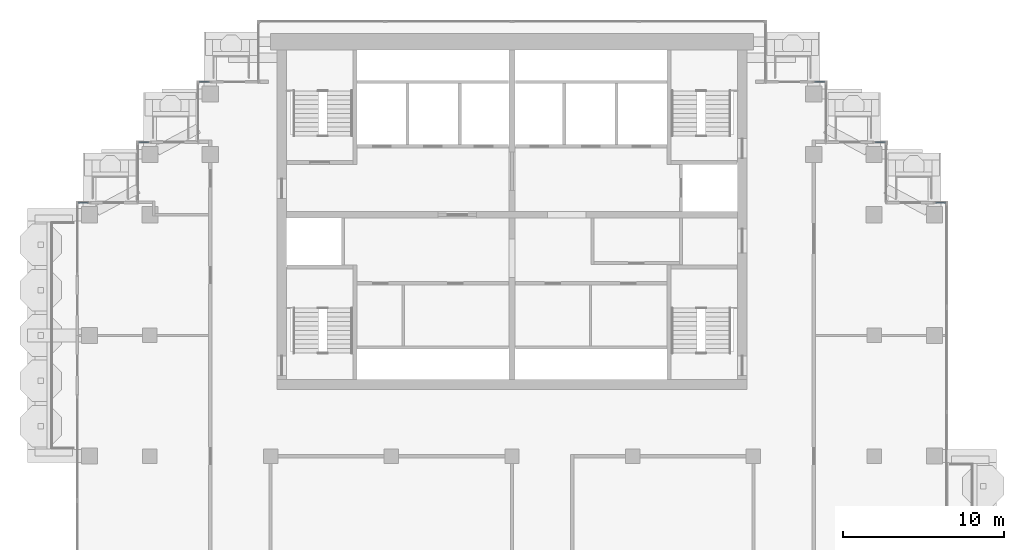
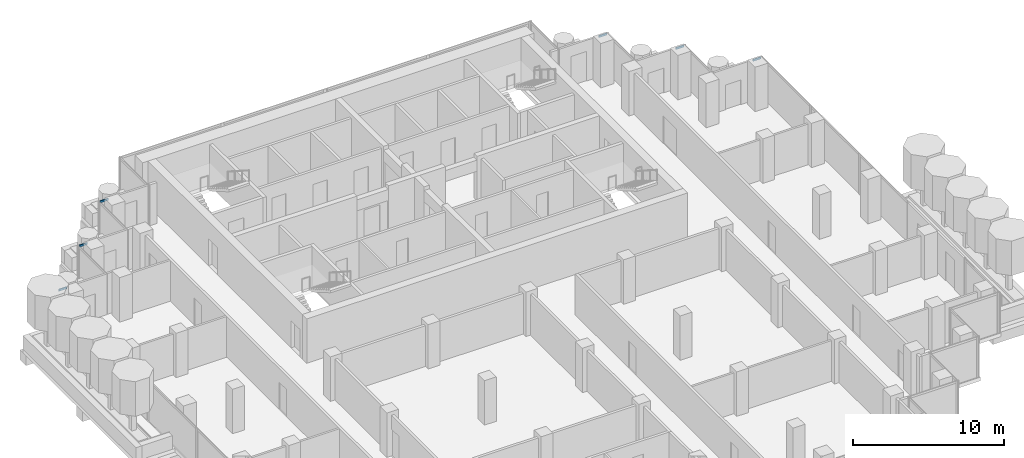
# One storey, part 7 of 17: 6 members, 6 elements without a shape of their own.
"""IFC4 building model written with IfcOpenShell, lengths in metres."""

import ifcopenshell
import ifcopenshell.guid

model = None  # the IFC model being written
_history = None  # IfcOwnerHistory: only IFC2X3 demands one
_inside = {}  # id of a spatial element -> (the spatial element, [elements in it])
_under = {}  # id of a project, library or spatial element -> (it, [spatial elements below it])
_declared = {}  # id of a project -> (the project, [libraries it declares])
_typed = {}  # id of a type object -> (the type object, [elements of that type])
_made_of = {}  # id of a material, layer set ... -> (it, [elements and type objects made of it])


def new_model(schema):
    """Start an empty IFC model of exactly this schema.

    Asked for "IFC4X3", IfcOpenShell would pick the latest addendum, in which some entities
    have other attributes; the version numbers below select the first issue.
    IFC2X3 requires an IfcOwnerHistory on every rooted entity: one is made here for all.
    """
    global model, _history
    if schema == "IFC4X3":
        model = ifcopenshell.file(schema_version=(4, 3, 0, 0))
    else:
        model = ifcopenshell.file(schema=schema)
    _inside.clear()
    _under.clear()
    _declared.clear()
    _typed.clear()
    _made_of.clear()
    _history = None
    if model.schema == "IFC2X3":
        org = make("IfcOrganization", Name="unknown")
        user = make(
            "IfcPersonAndOrganization",
            ThePerson=make("IfcPerson", FamilyName="unknown"),
            TheOrganization=org,
        )
        app = make(
            "IfcApplication",
            ApplicationDeveloper=org,
            Version="unknown",
            ApplicationFullName="unknown",
            ApplicationIdentifier="unknown",
        )
        _history = make(
            "IfcOwnerHistory",
            OwningUser=user,
            OwningApplication=app,
            ChangeAction="ADDED",
            CreationDate=0,
        )
    return model


def make(cls, **values):
    """One entity of the class cls with the attributes given. An attribute that is None is left unset."""
    return model.create_entity(
        cls, **{name: value for name, value in values.items() if value is not None}
    )


def rooted(cls, **values):
    """An entity with a GlobalId (a new one), such as an element, a storey or a relation."""
    return make(cls, GlobalId=ifcopenshell.guid.new(), OwnerHistory=_history, **values)


def si_unit(unit_type, name, prefix=None):
    """IfcSIUnit, for example si_unit("LENGTHUNIT", "METRE", prefix="MILLI")."""
    return make("IfcSIUnit", UnitType=unit_type, Prefix=prefix, Name=name)


def assignment(units):
    """IfcUnitAssignment: the units of a project."""
    return None if units is None else make("IfcUnitAssignment", Units=units)


def point(xyz):
    """IfcCartesianPoint."""
    return None if xyz is None else make("IfcCartesianPoint", Coordinates=xyz)


def direction(xyz):
    """IfcDirection."""
    return None if xyz is None else make("IfcDirection", DirectionRatios=xyz)


def frame(location, z_axis=None, x_axis=None):
    """IfcAxis2Placement3D, a coordinate frame: its origin and axes. An axis left out is left unset."""
    return make(
        "IfcAxis2Placement3D",
        Location=point(location),
        Axis=direction(z_axis),
        RefDirection=direction(x_axis),
    )


def frame_2d(location, x_axis=None):
    """IfcAxis2Placement2D, a coordinate frame in the plane: its origin and x axis."""
    return make(
        "IfcAxis2Placement2D", Location=point(location), RefDirection=direction(x_axis)
    )


def origin():
    """The frame at (0, 0, 0) with its axes left unset."""
    return frame((0.0, 0.0, 0.0))


def origin_2d():
    """The frame at (0, 0) in the plane with its x axis left unset."""
    return frame_2d((0.0, 0.0))


def place(relative_to, where):
    """IfcLocalPlacement: puts the frame where relative to a parent placement (None: the world)."""
    return make(
        "IfcLocalPlacement", PlacementRelTo=relative_to, RelativePlacement=where
    )


def context(
    kind, dimensions, precision=None, world=None, true_north=None, identifier=None
):
    """IfcGeometricRepresentationContext, for example the 3D "Model" context."""
    return make(
        "IfcGeometricRepresentationContext",
        ContextIdentifier=identifier,
        ContextType=kind,
        CoordinateSpaceDimension=dimensions,
        Precision=precision,
        WorldCoordinateSystem=world,
        TrueNorth=true_north,
    )


def subcontext(parent, identifier, kind, view, scale=None):
    """IfcGeometricRepresentationSubContext, for example "Body" below "Model"."""
    return make(
        "IfcGeometricRepresentationSubContext",
        ContextIdentifier=identifier,
        ContextType=kind,
        ParentContext=parent,
        TargetScale=scale,
        TargetView=view,
    )


def project(units=None, contexts=None):
    """IfcProject with its units and contexts."""
    return rooted(
        "IfcProject",
        Name="project",
        RepresentationContexts=contexts,
        UnitsInContext=assignment(units),
    )


def spatial(cls, under=None, at=None, **own):
    """A site, building, storey or space (cls), placed at a placement, below another one or the project."""
    s = rooted(cls, ObjectPlacement=at, **own)
    if under is not None:
        _under.setdefault(under.id(), (under, []))[1].append(s)
    return s


def profile(cls, at=None, kind="AREA", **sizes):
    """A parametric profile (cls). Its sizes go by their IFC names, for example OverallWidth=200.0."""
    return make(cls, ProfileType=kind, Position=at, **sizes)


def rectangle(**sizes):
    """IfcRectangleProfileDef."""
    return profile("IfcRectangleProfileDef", **sizes)


def extrude(swept, where, along, depth):
    """IfcExtrudedAreaSolid: the profile swept, set in the frame where, extruded along a direction by depth."""
    return make(
        "IfcExtrudedAreaSolid",
        SweptArea=swept,
        Position=where,
        ExtrudedDirection=direction(along),
        Depth=depth,
    )


def shape(context_of_items, identifier, shape_type, items):
    """IfcShapeRepresentation: the items that make up one representation, for example the "Body"."""
    return make(
        "IfcShapeRepresentation",
        ContextOfItems=context_of_items,
        RepresentationIdentifier=identifier,
        RepresentationType=shape_type,
        Items=items,
    )


def material(Name=None, Category=None):
    """IfcMaterial."""
    return make("IfcMaterial", Name=Name, Category=Category)


def material_profile(
    of_material, cross_section, Name=None, Category=None, Priority=None
):
    """IfcMaterialProfile: a cross section and its material."""
    return make(
        "IfcMaterialProfile",
        Name=Name,
        Material=of_material,
        Profile=cross_section,
        Priority=Priority,
        Category=Category,
    )


def profile_set(profiles, Name=None, composite=None):
    """IfcMaterialProfileSet."""
    return make(
        "IfcMaterialProfileSet",
        Name=Name,
        MaterialProfiles=profiles,
        CompositeProfile=composite,
    )


def made_of(thing, what):
    """Note that an element or type object is made of a material, layer set ...; save() writes the relation."""
    if what is not None:
        _made_of.setdefault(what.id(), (what, []))[1].append(thing)
    return thing


def type_object(cls, material=None, **own):
    """A type object (cls), such as IfcWallType, which elements share."""
    return made_of(rooted(cls, **own), material)


def element(
    cls,
    number,
    at=None,
    inside=None,
    cuts=None,
    type_object=None,
    material=None,
    context=None,
    identifier="Body",
    shape_type=None,
    held_by="IfcProductDefinitionShape",
    body=None,
    shapes=None,
    **own,
):
    """One element of the class cls, such as IfcWall. Its Tag is "e" and its number.

    at: its placement. inside: the storey or other place that contains it. cuts: it is an
    opening in that element (IfcRelVoidsElement). A single representation is given by context,
    identifier, shape_type and body (its items); several are given by shapes. held_by: the class
    of the entity that holds the representations. save() writes the other relations.
    """
    e = rooted(cls, Tag="e%d" % number, ObjectPlacement=at, **own)
    if body is not None:
        shapes = [shape(context, identifier, shape_type, body)]
    if shapes is not None:
        e.Representation = make(held_by, Representations=shapes)
    if inside is not None:
        _inside.setdefault(inside.id(), (inside, []))[1].append(e)
    if cuts is not None:
        rooted(
            "IfcRelVoidsElement", RelatingBuildingElement=cuts, RelatedOpeningElement=e
        )
    if type_object is not None:
        _typed.setdefault(type_object.id(), (type_object, []))[1].append(e)
    return made_of(e, material)


def aggregate(whole, parts):
    """IfcRelAggregates: a whole, such as a stair, and the parts it consists of."""
    return rooted("IfcRelAggregates", RelatingObject=whole, RelatedObjects=parts)


def save(model, path):
    """Write the relations noted so far, then the file.

    IfcRelAggregates (storeys below a building ...), IfcRelContainedInSpatialStructure (elements
    in a storey), IfcRelDefinesByType, IfcRelAssociatesMaterial and IfcRelDeclares: one each for
    every whole, place, type object, material and project.
    """
    for whole, parts in _under.values():
        aggregate(whole, parts)
    for where, things in _inside.values():
        rooted(
            "IfcRelContainedInSpatialStructure",
            RelatedElements=things,
            RelatingStructure=where,
        )
    for kind, things in _typed.values():
        rooted("IfcRelDefinesByType", RelatedObjects=things, RelatingType=kind)
    for what, things in _made_of.values():
        rooted("IfcRelAssociatesMaterial", RelatedObjects=things, RelatingMaterial=what)
    for by, libraries in _declared.values():
        rooted("IfcRelDeclares", RelatingContext=by, RelatedDefinitions=libraries)
    model.write(path)


model = new_model("IFC4")

# Units and contexts
model_context = context("Model", 3, precision=1e-05, world=origin(), true_north=direction((0.0, 1.0)))
body_context = subcontext(model_context, "Body", "Model", "MODEL_VIEW")
ifc_project = project(units=[si_unit("LENGTHUNIT", "METRE"), si_unit("AREAUNIT", "SQUARE_METRE"), si_unit("VOLUMEUNIT", "CUBIC_METRE"), si_unit("PLANEANGLEUNIT", "RADIAN"), si_unit("MASSUNIT", "GRAM", prefix="KILO")], contexts=[model_context])

# Site, building, storey
site_placement = place(None, origin())
site = spatial("IfcSite", under=ifc_project, at=site_placement, CompositionType="ELEMENT")
building_placement = place(site_placement, origin())
building = spatial("IfcBuilding", under=site, at=building_placement, Name="Pilkhan Gate Tower", CompositionType="ELEMENT")
storey_placement = place(building_placement, frame((0.0, 0.0, 213.89990234375)))
storey = spatial("IfcBuildingStorey", under=building, at=storey_placement, Name="L55", CompositionType="ELEMENT", Elevation=213.89990234375)

# Curtain wall, member
ifc_material_1 = material(Name="Pale anodised aluminium, clear low-iron double glazing", Category="aluminium")
curtain_wall_type = type_object("IfcCurtainWallType", Name="Office unitised curtain wall CW-O2", PredefinedType="USERDEFINED", material=ifc_material_1)
curtain_wall_1_placement = place(storey_placement, origin())
curtain_wall_1 = element("IfcCurtainWall", 1, at=curtain_wall_1_placement, inside=storey, type_object=curtain_wall_type, Name="Office unitised curtain wall CW-O2 L55 N", ObjectType="UNITISED CURTAIN WALL", PredefinedType="USERDEFINED")
ifc_material_2 = material(Name="Pale anodised aluminium", Category="aluminium")
ifc_material_profile = material_profile(ifc_material_2, rectangle(XDim=0.06494140625, YDim=0.1650390625, at=origin_2d()), Name="Transom 165x65")
ifc_profile_set = profile_set([ifc_material_profile], Name="Pale anodised aluminium")
member_type = type_object("IfcMemberType", Name="Transom CW-O2 165x65", PredefinedType="USERDEFINED", material=ifc_profile_set)
member_1_placement = place(storey_placement, frame((101.31494140625, 83.25, 3.217529296875), z_axis=(1.0, 0.0, 0.0), x_axis=(0.0, 1.0, 0.0)))
member_1 = element("IfcMember", 2, at=member_1_placement, type_object=member_type, Name="CW-O2 transom 1", ObjectType="TRANSOM", PredefinedType="USERDEFINED", context=body_context, shape_type="SweptSolid", body=[
    extrude(rectangle(XDim=0.06494140625, YDim=0.1650390625, at=origin_2d()), origin(), (0.0, 0.0, 1.0), 0.6201171875),
])
aggregate(curtain_wall_1, [member_1])

curtain_wall_2_placement = place(storey_placement, origin())
curtain_wall_2 = element("IfcCurtainWall", 3, at=curtain_wall_2_placement, inside=storey, type_object=curtain_wall_type, Name="Office unitised curtain wall CW-O2 L55 N", ObjectType="UNITISED CURTAIN WALL", PredefinedType="USERDEFINED")
member_2_placement = place(storey_placement, frame((97.56494140625, 87.0, 3.217529296875), z_axis=(1.0, 0.0, 0.0), x_axis=(0.0, 1.0, 0.0)))
member_2 = element("IfcMember", 4, at=member_2_placement, type_object=member_type, Name="CW-O2 transom 1", ObjectType="TRANSOM", PredefinedType="USERDEFINED", context=body_context, shape_type="SweptSolid", body=[
    extrude(rectangle(XDim=0.06494140625, YDim=0.1650390625, at=origin_2d()), origin(), (0.0, 0.0, 1.0), 0.6201171875),
])
aggregate(curtain_wall_2, [member_2])

curtain_wall_3_placement = place(storey_placement, origin())
curtain_wall_3 = element("IfcCurtainWall", 5, at=curtain_wall_3_placement, inside=storey, type_object=curtain_wall_type, Name="Office unitised curtain wall CW-O2 L55 N", ObjectType="UNITISED CURTAIN WALL", PredefinedType="USERDEFINED")
member_3_placement = place(storey_placement, frame((93.81494140625, 90.75, 3.217529296875), z_axis=(1.0, 0.0, 0.0), x_axis=(0.0, 1.0, 0.0)))
member_3 = element("IfcMember", 6, at=member_3_placement, type_object=member_type, Name="CW-O2 transom 1", ObjectType="TRANSOM", PredefinedType="USERDEFINED", context=body_context, shape_type="SweptSolid", body=[
    extrude(rectangle(XDim=0.06494140625, YDim=0.1650390625, at=origin_2d()), origin(), (0.0, 0.0, 1.0), 0.6201171875),
])
aggregate(curtain_wall_3, [member_3])

curtain_wall_4_placement = place(storey_placement, origin())
curtain_wall_4 = element("IfcCurtainWall", 7, at=curtain_wall_4_placement, inside=storey, type_object=curtain_wall_type, Name="Office unitised curtain wall CW-O2 L55 N", ObjectType="UNITISED CURTAIN WALL", PredefinedType="USERDEFINED")
member_4_placement = place(storey_placement, frame((55.56494140625, 90.75, 3.217529296875), z_axis=(1.0, 0.0, 0.0), x_axis=(0.0, 1.0, 0.0)))
member_4 = element("IfcMember", 8, at=member_4_placement, type_object=member_type, Name="CW-O2 transom 1", ObjectType="TRANSOM", PredefinedType="USERDEFINED", context=body_context, shape_type="SweptSolid", body=[
    extrude(rectangle(XDim=0.06494140625, YDim=0.1650390625, at=origin_2d()), origin(), (0.0, 0.0, 1.0), 0.6201171875),
])
aggregate(curtain_wall_4, [member_4])

curtain_wall_5_placement = place(storey_placement, origin())
curtain_wall_5 = element("IfcCurtainWall", 9, at=curtain_wall_5_placement, inside=storey, type_object=curtain_wall_type, Name="Office unitised curtain wall CW-O2 L55 N", ObjectType="UNITISED CURTAIN WALL", PredefinedType="USERDEFINED")
member_5_placement = place(storey_placement, frame((51.81494140625, 87.0, 3.217529296875), z_axis=(1.0, 0.0, 0.0), x_axis=(0.0, 1.0, 0.0)))
member_5 = element("IfcMember", 10, at=member_5_placement, type_object=member_type, Name="CW-O2 transom 1", ObjectType="TRANSOM", PredefinedType="USERDEFINED", context=body_context, shape_type="SweptSolid", body=[
    extrude(rectangle(XDim=0.06494140625, YDim=0.1650390625, at=origin_2d()), origin(), (0.0, 0.0, 1.0), 0.6201171875),
])
aggregate(curtain_wall_5, [member_5])

curtain_wall_6_placement = place(storey_placement, origin())
curtain_wall_6 = element("IfcCurtainWall", 11, at=curtain_wall_6_placement, inside=storey, type_object=curtain_wall_type, Name="Office unitised curtain wall CW-O2 L55 N", ObjectType="UNITISED CURTAIN WALL", PredefinedType="USERDEFINED")
member_6_placement = place(storey_placement, frame((48.06494140625, 83.25, 3.217529296875), z_axis=(1.0, 0.0, 0.0), x_axis=(0.0, 1.0, 0.0)))
member_6 = element("IfcMember", 12, at=member_6_placement, type_object=member_type, Name="CW-O2 transom 1", ObjectType="TRANSOM", PredefinedType="USERDEFINED", context=body_context, shape_type="SweptSolid", body=[
    extrude(rectangle(XDim=0.06494140625, YDim=0.1650390625, at=origin_2d()), origin(), (0.0, 0.0, 1.0), 0.6201171875),
])
aggregate(curtain_wall_6, [member_6])

save(model, "model.ifc")
